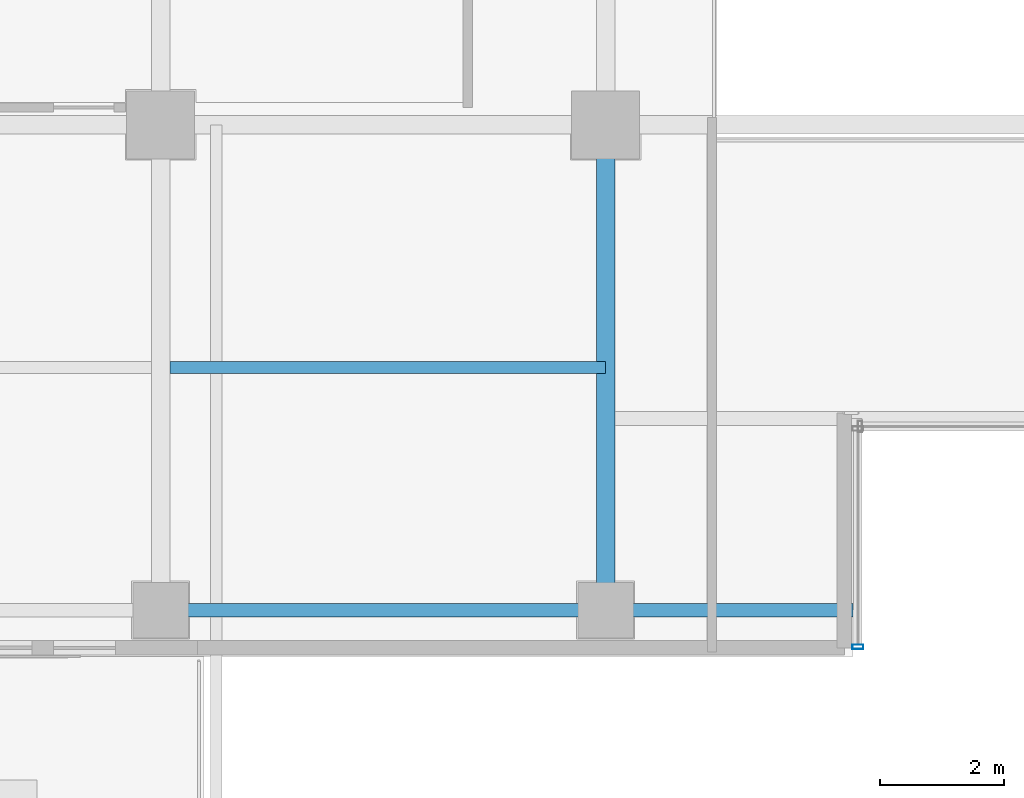
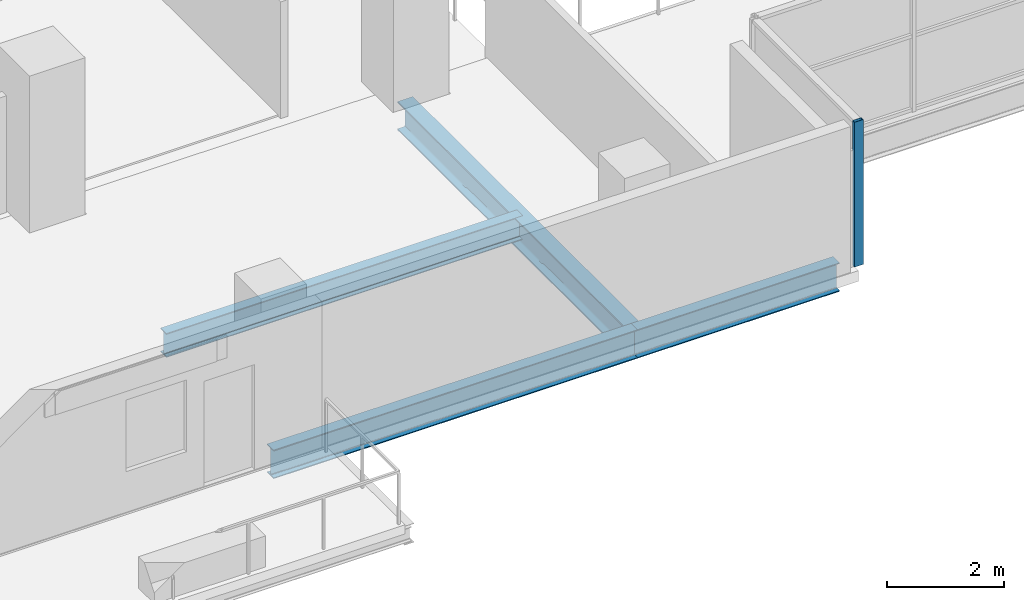
# One storey, part 5 of 27: 4 beams, 1 member, 1 element without a shape of its own.
"""IFC4 building model written with IfcOpenShell, lengths in metres."""

from ifc_helpers import new_model, si_unit, direction, frame, origin, origin_2d, place, context, subcontext, project, spatial, hollow_rectangle, i_section, extrude, source, transform, mapped, material, layer, layer_set, material_profile, profile_set, type_object, element, aggregate, save


model = new_model("IFC4")

# Units and contexts
model_context = context("Model", 3, precision=1e-05, world=origin(), true_north=direction((0.0, 1.0)))
body_context = subcontext(model_context, "Body", "Model", "MODEL_VIEW")
ifc_project = project(units=[si_unit("LENGTHUNIT", "METRE"), si_unit("AREAUNIT", "SQUARE_METRE"), si_unit("VOLUMEUNIT", "CUBIC_METRE"), si_unit("PLANEANGLEUNIT", "RADIAN"), si_unit("MASSUNIT", "GRAM", prefix="KILO")], contexts=[model_context])

# Site, building, storey
site_placement = place(None, origin())
site = spatial("IfcSite", under=ifc_project, at=site_placement, CompositionType="ELEMENT")
building_placement = place(site_placement, origin())
building = spatial("IfcBuilding", under=site, at=building_placement, Name="Zarnakvel Exchange Tower", CompositionType="ELEMENT")
storey_placement = place(building_placement, frame((0.0, 0.0, 76.89990234375)))
storey = spatial("IfcBuildingStorey", under=building, at=storey_placement, Name="L21", CompositionType="ELEMENT", Elevation=76.89990234375)

# Beams
ifc_material_1 = material(Name="Steel S355", Category="steel")
ifc_material_profile_1 = material_profile(ifc_material_1, i_section(OverallWidth=0.199951171875, OverallDepth=0.5, WebThickness=0.01025390625, FlangeThickness=0.01611328125, FilletRadius=0.02099609375, at=origin_2d()))
ifc_profile_set_1 = profile_set([ifc_material_profile_1], Name="Steel S355")
beam_type_1 = type_object("IfcBeamType", Name="B-04", PredefinedType="JOIST", material=ifc_profile_set_1)
beam_1_placement = place(storey_placement, frame((-14.25, -13.52490234375, -0.474853515625), z_axis=(1.0, 0.0, 0.0), x_axis=(0.0, 1.0, 0.0)))
element("IfcBeam", 1, at=beam_1_placement, inside=storey, type_object=beam_type_1, Name="L21 Composite Floor Secondary Joist", PredefinedType="JOIST", context=body_context, shape_type="SweptSolid", body=[
    extrude(i_section(OverallWidth=0.199951171875, OverallDepth=0.5, WebThickness=0.01025390625, FlangeThickness=0.01611328125, FilletRadius=0.02099609375, at=origin_2d()), origin(), (0.0, 0.0, 1.0), 7.050048828125),
])
ifc_material_profile_2 = material_profile(ifc_material_1, i_section(OverallWidth=0.300048828125, OverallDepth=0.60009765625, WebThickness=0.015380859375, FlangeThickness=0.030029296875, FilletRadius=0.027099609375, at=origin_2d()))
ifc_profile_set_2 = profile_set([ifc_material_profile_2], Name="Steel S355")
beam_type_2 = type_object("IfcBeamType", Name="G-04", PredefinedType="BEAM", material=ifc_profile_set_2)
beam_2_placement = place(storey_placement, frame((-7.199951171875, -17.449951171875, -0.52490234375), z_axis=(0.0, 1.0, 0.0), x_axis=(-1.0, 0.0, 0.0)))
element("IfcBeam", 2, at=beam_2_placement, inside=storey, type_object=beam_type_2, Name="L21 Tower N-S Frame Beam", PredefinedType="BEAM", context=body_context, shape_type="SweptSolid", body=[
    extrude(i_section(OverallWidth=0.300048828125, OverallDepth=0.60009765625, WebThickness=0.015380859375, FlangeThickness=0.030029296875, FilletRadius=0.027099609375, at=origin_2d()), origin(), (0.0, 0.0, 1.0), 7.849853515625),
])
ifc_material_profile_3 = material_profile(ifc_material_1, i_section(OverallWidth=0.219970703125, OverallDepth=0.60009765625, WebThickness=0.011962890625, FlangeThickness=0.01904296875, FilletRadius=0.02392578125, at=origin_2d()))
ifc_profile_set_3 = profile_set([ifc_material_profile_3], Name="Steel S355")
beam_type_3 = type_object("IfcBeamType", Name="SP-01", PredefinedType="SPANDREL", material=ifc_profile_set_3)
beam_3_placement = place(storey_placement, frame((-14.39990234375, -17.449951171875, -0.52490234375), z_axis=(1.0, 0.0, 0.0), x_axis=(0.0, 1.0, 0.0)))
element("IfcBeam", 3, at=beam_3_placement, inside=storey, type_object=beam_type_3, Name="L21 Tower E-W Frame Beam", PredefinedType="SPANDREL", context=body_context, shape_type="SweptSolid", body=[
    extrude(i_section(OverallWidth=0.219970703125, OverallDepth=0.60009765625, WebThickness=0.011962890625, FlangeThickness=0.01904296875, FilletRadius=0.02392578125, at=origin_2d()), origin(), (0.0, 0.0, 1.0), 7.199951171875),
])
beam_4_placement = place(storey_placement, frame((-7.199951171875, -17.449951171875, -0.52490234375), z_axis=(1.0, 0.0, 0.0), x_axis=(0.0, 1.0, 0.0)))
element("IfcBeam", 4, at=beam_4_placement, inside=storey, type_object=beam_type_3, Name="L21 South Slot West Jamb Spandrel", PredefinedType="SPANDREL", context=body_context, shape_type="SweptSolid", body=[
    extrude(i_section(OverallWidth=0.219970703125, OverallDepth=0.60009765625, WebThickness=0.011962890625, FlangeThickness=0.01904296875, FilletRadius=0.02392578125, at=origin_2d()), origin(), (0.0, 0.0, 1.0), 4.0),
])

# Curtain wall, member
ifc_material_2 = material(Name="Architectural Bronze Anodised Aluminium", Category="aluminium")
ifc_layer = layer(ifc_material_2, 0.179931640625)
ifc_layer_set = layer_set([ifc_layer], Name="Architectural Bronze Anodised Aluminium")
curtain_wall_type = type_object("IfcCurtainWallType", Name="CW-05", PredefinedType="NOTDEFINED", material=ifc_layer_set)
curtain_wall_placement = place(storey_placement, origin())
curtain_wall = element("IfcCurtainWall", 5, at=curtain_wall_placement, inside=storey, type_object=curtain_wall_type, Name="L21 Curtain Wall CW-L21-SLW (CW-05)", PredefinedType="NOTDEFINED")
ifc_material_profile_4 = material_profile(ifc_material_2, hollow_rectangle(XDim=0.179931640625, YDim=0.070068359375, WallThickness=0.00390625, at=origin_2d()))
ifc_profile_set_4 = profile_set([ifc_material_profile_4], Name="Architectural Bronze Anodised Aluminium")
member_type = type_object("IfcMemberType", Name="CWM-05", PredefinedType="MULLION", material=ifc_profile_set_4)
shared_shape = source(origin(), body_context, "Body", "SweptSolid", [
    extrude(hollow_rectangle(XDim=0.179931640625, YDim=0.070068359375, WallThickness=0.00390625, at=origin_2d()), origin(), (0.0, 0.0, 1.0), 3.030029296875),
])
member_placement = place(storey_placement, frame((-3.1201171875, -18.044921875, 0.0), z_axis=(0.0, 0.0, 1.0), x_axis=(-1.0, 0.0, 0.0)))
member = element("IfcMember", 6, at=member_placement, type_object=member_type, Name="CW-05 mullion 1", PredefinedType="MULLION", context=body_context, shape_type="MappedRepresentation", body=[
    mapped(shared_shape, transform((0.0, 0.0, 0.0), x_axis=(1.0, 0.0, 0.0), y_axis=(0.0, 1.0, 0.0), z_axis=(0.0, 0.0, 1.0), scale=1.0)),
])
aggregate(curtain_wall, [member])

save(model, "model.ifc")
